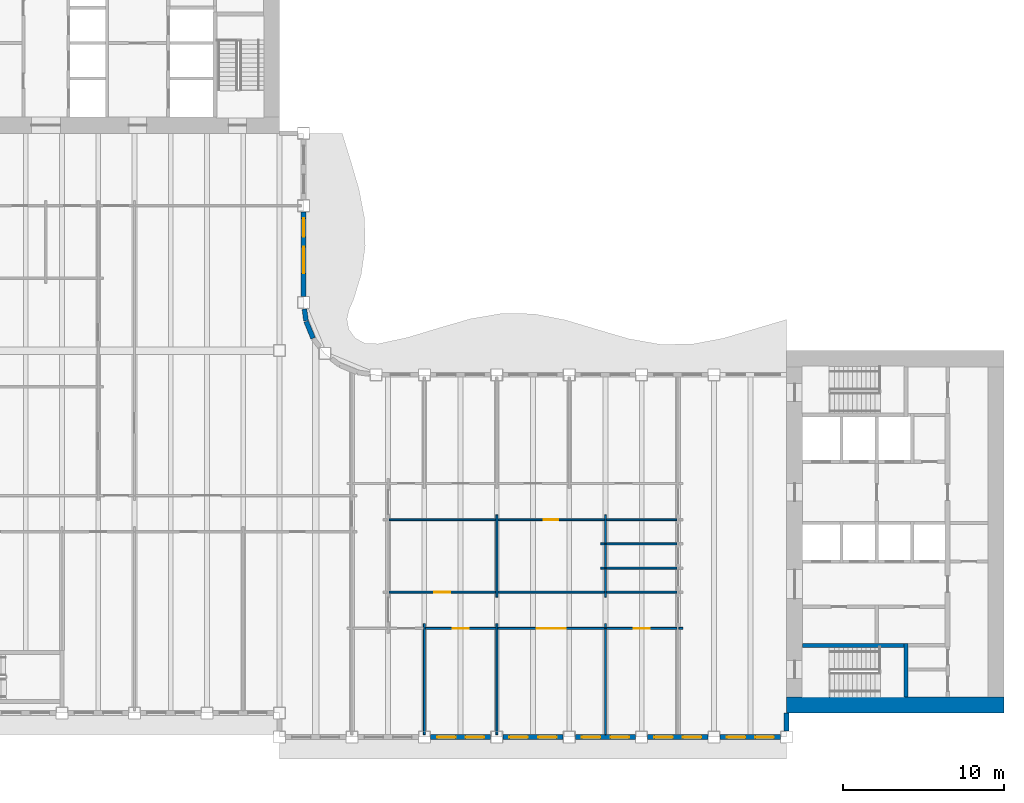
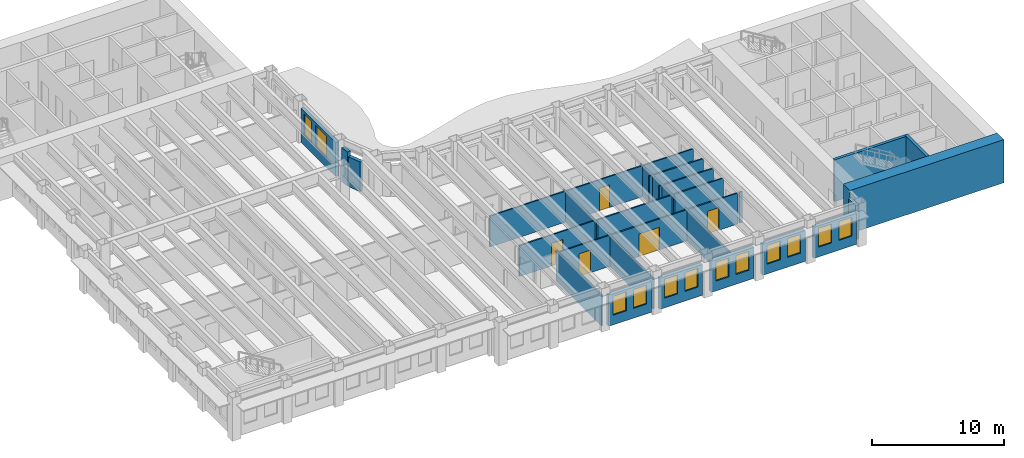
# One storey, part 5 of 16: 31 walls, 12 windows, 5 doors, 17 openings.
"""IFC4 building model written with IfcOpenShell, lengths in metres."""

from ifc_helpers import new_model, si_unit, direction, frame, frame_2d, origin, place, context, subcontext, project, spatial, rectangle, extrude, material, layer, layer_set, type_object, element, fill, save


model = new_model("IFC4")

# Units and contexts
model_context = context("Model", 3, precision=1e-05, world=origin(), true_north=direction((0.0, 1.0)))
body_context = subcontext(model_context, "Body", "Model", "MODEL_VIEW")
ifc_project = project(units=[si_unit("LENGTHUNIT", "METRE"), si_unit("AREAUNIT", "SQUARE_METRE"), si_unit("VOLUMEUNIT", "CUBIC_METRE"), si_unit("PLANEANGLEUNIT", "RADIAN"), si_unit("MASSUNIT", "GRAM", prefix="KILO")], contexts=[model_context])

# Site, building, storey
site_placement = place(None, origin())
site = spatial("IfcSite", under=ifc_project, at=site_placement, CompositionType="ELEMENT")
building_placement = place(site_placement, origin())
building = spatial("IfcBuilding", under=site, at=building_placement, Name="Sennacour Bend Tower", CompositionType="ELEMENT")
storey_placement = place(building_placement, frame((0.0, 0.0, 207.0)))
storey = spatial("IfcBuildingStorey", under=building, at=storey_placement, Name="L47", CompositionType="ELEMENT", Elevation=207.0)

# Walls
ifc_material_1 = material(Name="Concrete C60/75", Category="concrete")
ifc_layer_1 = layer(ifc_material_1, 1.0, Name="Concrete C60/75", Category="concrete")
ifc_layer_set_1 = layer_set([ifc_layer_1], Name="Concrete C60/75")
wall_type_1 = type_object("IfcWallType", Name="Core wall 1000 C60/75", PredefinedType="SHEAR", material=ifc_layer_set_1)
wall_1_placement = place(storey_placement, frame((67.5, 0.5, -0.14990234375), z_axis=(0.0, 0.0, 1.0), x_axis=(-1.0, 0.0, 0.0)))
element("IfcWall", 1, at=wall_1_placement, inside=storey, type_object=wall_type_1, Name="Core A wall L47 S", PredefinedType="SHEAR", context=body_context, shape_type="SweptSolid", body=[
    extrude(rectangle(XDim=13.5, YDim=1.0, at=frame_2d((6.75, 0.0))), origin(), (0.0, 0.0, 1.0), 4.0),
])
ifc_material_2 = material(Name="Plasterboard partition on steel studs", Category="steel")
ifc_layer_2 = layer(ifc_material_2, 0.1201171875, Name="Plasterboard partition on steel studs", Category="steel")
ifc_layer_set_2 = layer_set([ifc_layer_2], Name="Plasterboard partition on steel studs")
wall_type_2 = type_object("IfcWallType", Name="Partition 120", PredefinedType="PARTITIONING", material=ifc_layer_set_2)
for number, where, z_axis, x_axis, name in (
    (2, (31.5, -1.35009765625, 0.0), (0.0, 0.0, 1.0), (0.0, 1.0, 0.0), "P-L47-W029a"),
    (3, (36.0, -1.35009765625, 0.0), (0.0, 0.0, 1.0), (0.0, 1.0, 0.0), "P-L47-W031a"),
):
    element("IfcWall", number, at=place(storey_placement, frame(where, z_axis=z_axis, x_axis=x_axis)), inside=storey, type_object=wall_type_2, Name=name, PredefinedType="PARTITIONING", context=body_context, shape_type="SweptSolid", body=[
        extrude(rectangle(XDim=6.900146484375, YDim=0.1201171875, at=frame_2d((3.4501953125, 0.0))), origin(), (0.0, 0.0, 1.0), 2.8701171875),
    ])
wall_2_placement = place(storey_placement, frame((36.0, 7.199951171875, 0.0), z_axis=(0.0, 0.0, 1.0), x_axis=(0.0, 1.0, 0.0)))
element("IfcWall", 4, at=wall_2_placement, inside=storey, type_object=wall_type_2, Name="P-L47-W032a", PredefinedType="PARTITIONING", context=body_context, shape_type="SweptSolid", body=[
    extrude(rectangle(XDim=5.10009765625, YDim=0.1201171875, at=frame_2d((2.550048828125, 0.0))), origin(), (0.0, 0.0, 1.0), 2.8701171875),
])
wall_3_placement = place(storey_placement, frame((42.75, -1.35009765625, 0.0), z_axis=(0.0, 0.0, 1.0), x_axis=(0.0, 1.0, 0.0)))
element("IfcWall", 5, at=wall_3_placement, inside=storey, type_object=wall_type_2, Name="P-L47-W035a", PredefinedType="PARTITIONING", context=body_context, shape_type="SweptSolid", body=[
    extrude(rectangle(XDim=6.900146484375, YDim=0.1201171875, at=frame_2d((3.4501953125, 0.0))), origin(), (0.0, 0.0, 1.0), 2.8701171875),
])
wall_4_placement = place(storey_placement, frame((42.75, 7.199951171875, 0.0), z_axis=(0.0, 0.0, 1.0), x_axis=(0.0, 1.0, 0.0)))
element("IfcWall", 6, at=wall_4_placement, inside=storey, type_object=wall_type_2, Name="P-L47-W036a", PredefinedType="PARTITIONING", context=body_context, shape_type="SweptSolid", body=[
    extrude(rectangle(XDim=5.10009765625, YDim=0.1201171875, at=frame_2d((2.550048828125, 0.0))), origin(), (0.0, 0.0, 1.0), 2.8701171875),
])

# Wall, opening, door
wall_5_placement = place(storey_placement, frame((31.56005859375, 5.25, 0.0), z_axis=(0.0, 0.0, 1.0), x_axis=(1.0, 0.0, 0.0)))
wall_5 = element("IfcWall", 7, at=wall_5_placement, inside=storey, type_object=wall_type_2, Name="P-L47-W059ad", PredefinedType="PARTITIONING", context=body_context, shape_type="SweptSolid", body=[
    extrude(rectangle(XDim=4.3798828125, YDim=0.1201171875, at=frame_2d((2.18994140625, 0.0))), origin(), (0.0, 0.0, 1.0), 2.8701171875),
])
opening_1_placement = place(wall_5_placement, frame((1.68994140625, 0.0, 0.0)))
opening_1 = element("IfcOpeningElement", 8, at=opening_1_placement, cuts=wall_5, Name="Opening OD2", PredefinedType="OPENING", context=body_context, shape_type="SweptSolid", body=[
    extrude(rectangle(XDim=1.0, YDim=2.10009765625, at=frame_2d((0.5, 1.050048828125))), frame((0.0, 0.070068359375, 0.0), z_axis=(0.0, -1.0, 0.0), x_axis=(1.0, 0.0, 0.0)), (0.0, 0.0, 1.0), 0.14013671875),
])
ifc_material_3 = material(Name="Timber", Category="wood")
door_type_1 = type_object("IfcDoorType", Name="DR-OFFICE-1000", OperationType="NOTDEFINED", PredefinedType="DOOR", material=ifc_material_3)
door_1_placement = place(opening_1_placement, origin())
door_1 = element("IfcDoor", 9, at=door_1_placement, inside=storey, type_object=door_type_1, Name="Door", OperationType="SINGLE_SWING_LEFT", OverallHeight=2.10009765625, OverallWidth=1.0, PredefinedType="DOOR", context=body_context, shape_type="SweptSolid", body=[
    extrude(rectangle(XDim=1.0, YDim=2.10009765625, at=frame_2d((0.5, 1.050048828125))), frame((0.0, 0.02490234375, 0.0), z_axis=(0.0, -1.0, 0.0), x_axis=(1.0, 0.0, 0.0)), (0.0, 0.0, 1.0), 0.050048828125),
])
fill(opening_1, door_1)

wall_6_placement = place(storey_placement, frame((36.06005859375, 5.25, 0.0), z_axis=(0.0, 0.0, 1.0), x_axis=(1.0, 0.0, 0.0)))
wall_6 = element("IfcWall", 10, at=wall_6_placement, inside=storey, type_object=wall_type_2, Name="P-L47-W059ae", PredefinedType="PARTITIONING", context=body_context, shape_type="SweptSolid", body=[
    extrude(rectangle(XDim=6.6298828125, YDim=0.1201171875, at=frame_2d((3.31494140625, 0.0))), origin(), (0.0, 0.0, 1.0), 2.8701171875),
])
opening_2_placement = place(wall_6_placement, frame((2.414794921875, 0.0, 0.0)))
opening_2 = element("IfcOpeningElement", 11, at=opening_2_placement, cuts=wall_6, Name="Opening OD3", PredefinedType="OPENING", context=body_context, shape_type="SweptSolid", body=[
    extrude(rectangle(XDim=1.800048828125, YDim=2.10009765625, at=frame_2d((0.89990234375, 1.050048828125))), frame((0.0, 0.070068359375, 0.0), z_axis=(0.0, -1.0, 0.0), x_axis=(1.0, 0.0, 0.0)), (0.0, 0.0, 1.0), 0.14013671875),
])
door_type_2 = type_object("IfcDoorType", Name="DR-OFFICE-1800", OperationType="NOTDEFINED", PredefinedType="DOOR", material=ifc_material_3)
door_2_placement = place(opening_2_placement, origin())
door_2 = element("IfcDoor", 12, at=door_2_placement, inside=storey, type_object=door_type_2, Name="Door", OperationType="DOUBLE_DOOR_SINGLE_SWING", OverallHeight=2.10009765625, OverallWidth=1.800048828125, PredefinedType="DOOR", context=body_context, shape_type="SweptSolid", body=[
    extrude(rectangle(XDim=1.800048828125, YDim=2.10009765625, at=frame_2d((0.89990234375, 1.050048828125))), frame((0.0, 0.02490234375, 0.0), z_axis=(0.0, -1.0, 0.0), x_axis=(1.0, 0.0, 0.0)), (0.0, 0.0, 1.0), 0.050048828125),
])
fill(opening_2, door_2)

wall_7_placement = place(storey_placement, frame((42.81005859375, 5.25, 0.0), z_axis=(0.0, 0.0, 1.0), x_axis=(1.0, 0.0, 0.0)))
wall_7 = element("IfcWall", 13, at=wall_7_placement, inside=storey, type_object=wall_type_2, Name="P-L47-W059af", PredefinedType="PARTITIONING", context=body_context, shape_type="SweptSolid", body=[
    extrude(rectangle(XDim=4.3798828125, YDim=0.1201171875, at=frame_2d((2.18994140625, 0.0))), origin(), (0.0, 0.0, 1.0), 2.8701171875),
])
opening_3_placement = place(wall_7_placement, frame((1.68994140625, 0.0, 0.0)))
opening_3 = element("IfcOpeningElement", 14, at=opening_3_placement, cuts=wall_7, Name="Opening OD2", PredefinedType="OPENING", context=body_context, shape_type="SweptSolid", body=[
    extrude(rectangle(XDim=1.0, YDim=2.10009765625, at=frame_2d((0.5, 1.050048828125))), frame((0.0, 0.070068359375, 0.0), z_axis=(0.0, -1.0, 0.0), x_axis=(1.0, 0.0, 0.0)), (0.0, 0.0, 1.0), 0.14013671875),
])
door_3_placement = place(opening_3_placement, origin())
door_3 = element("IfcDoor", 15, at=door_3_placement, inside=storey, type_object=door_type_1, Name="Door", OperationType="SINGLE_SWING_LEFT", OverallHeight=2.10009765625, OverallWidth=1.0, PredefinedType="DOOR", context=body_context, shape_type="SweptSolid", body=[
    extrude(rectangle(XDim=1.0, YDim=2.10009765625, at=frame_2d((0.5, 1.050048828125))), frame((0.0, 0.02490234375, 0.0), z_axis=(0.0, -1.0, 0.0), x_axis=(1.0, 0.0, 0.0)), (0.0, 0.0, 1.0), 0.050048828125),
])
fill(opening_3, door_3)

# Wall
wall_8_placement = place(storey_placement, frame((47.31005859375, 5.25, 0.0), z_axis=(0.0, 0.0, 1.0), x_axis=(1.0, 0.0, 0.0)))
element("IfcWall", 16, at=wall_8_placement, inside=storey, type_object=wall_type_2, Name="P-L47-W059ag", PredefinedType="PARTITIONING", context=body_context, shape_type="SweptSolid", body=[
    extrude(rectangle(XDim=0.239990234375, YDim=0.1201171875, at=frame_2d((0.1201171875, 0.0))), origin(), (0.0, 0.0, 1.0), 2.8701171875),
])

# Wall, opening, door
wall_9_placement = place(storey_placement, frame((29.31005859375, 7.5, 0.0), z_axis=(0.0, 0.0, 1.0), x_axis=(1.0, 0.0, 0.0)))
wall_9 = element("IfcWall", 17, at=wall_9_placement, inside=storey, type_object=wall_type_2, Name="P-L47-W061ab", PredefinedType="PARTITIONING", context=body_context, shape_type="SweptSolid", body=[
    extrude(rectangle(XDim=6.6298828125, YDim=0.1201171875, at=frame_2d((3.31494140625, 0.0))), origin(), (0.0, 0.0, 1.0), 2.8701171875),
])
opening_4_placement = place(wall_9_placement, frame((2.81494140625, 0.0, 0.0)))
opening_4 = element("IfcOpeningElement", 18, at=opening_4_placement, cuts=wall_9, Name="Opening OD2", PredefinedType="OPENING", context=body_context, shape_type="SweptSolid", body=[
    extrude(rectangle(XDim=1.0, YDim=2.10009765625, at=frame_2d((0.5, 1.050048828125))), frame((0.0, 0.070068359375, 0.0), z_axis=(0.0, -1.0, 0.0), x_axis=(1.0, 0.0, 0.0)), (0.0, 0.0, 1.0), 0.14013671875),
])
door_4_placement = place(opening_4_placement, origin())
door_4 = element("IfcDoor", 19, at=door_4_placement, inside=storey, type_object=door_type_1, Name="Door", OperationType="SINGLE_SWING_LEFT", OverallHeight=2.10009765625, OverallWidth=1.0, PredefinedType="DOOR", context=body_context, shape_type="SweptSolid", body=[
    extrude(rectangle(XDim=1.0, YDim=2.10009765625, at=frame_2d((0.5, 1.050048828125))), frame((0.0, 0.02490234375, 0.0), z_axis=(0.0, -1.0, 0.0), x_axis=(1.0, 0.0, 0.0)), (0.0, 0.0, 1.0), 0.050048828125),
])
fill(opening_4, door_4)

# Walls
wall_10_placement = place(storey_placement, frame((36.06005859375, 7.5, 0.0), z_axis=(0.0, 0.0, 1.0), x_axis=(1.0, 0.0, 0.0)))
element("IfcWall", 20, at=wall_10_placement, inside=storey, type_object=wall_type_2, Name="P-L47-W061ac", PredefinedType="PARTITIONING", context=body_context, shape_type="SweptSolid", body=[
    extrude(rectangle(XDim=6.6298828125, YDim=0.1201171875, at=frame_2d((3.31494140625, 0.0))), origin(), (0.0, 0.0, 1.0), 2.8701171875),
])
wall_11_placement = place(storey_placement, frame((42.81005859375, 7.5, 0.0), z_axis=(0.0, 0.0, 1.0), x_axis=(1.0, 0.0, 0.0)))
element("IfcWall", 21, at=wall_11_placement, inside=storey, type_object=wall_type_2, Name="P-L47-W061ad", PredefinedType="PARTITIONING", context=body_context, shape_type="SweptSolid", body=[
    extrude(rectangle(XDim=4.3798828125, YDim=0.1201171875, at=frame_2d((2.18994140625, 0.0))), origin(), (0.0, 0.0, 1.0), 2.8701171875),
])
wall_12_placement = place(storey_placement, frame((42.449951171875, 9.0, 0.0), z_axis=(0.0, 0.0, 1.0), x_axis=(1.0, 0.0, 0.0)))
element("IfcWall", 22, at=wall_12_placement, inside=storey, type_object=wall_type_2, Name="P-L47-W062aa", PredefinedType="PARTITIONING", context=body_context, shape_type="SweptSolid", body=[
    extrude(rectangle(XDim=0.239990234375, YDim=0.1201171875, at=frame_2d((0.1201171875, 0.0))), origin(), (0.0, 0.0, 1.0), 2.8701171875),
])
wall_13_placement = place(storey_placement, frame((42.81005859375, 9.0, 0.0), z_axis=(0.0, 0.0, 1.0), x_axis=(1.0, 0.0, 0.0)))
element("IfcWall", 23, at=wall_13_placement, inside=storey, type_object=wall_type_2, Name="P-L47-W062ab", PredefinedType="PARTITIONING", context=body_context, shape_type="SweptSolid", body=[
    extrude(rectangle(XDim=4.3798828125, YDim=0.1201171875, at=frame_2d((2.18994140625, 0.0))), origin(), (0.0, 0.0, 1.0), 2.8701171875),
])
wall_14_placement = place(storey_placement, frame((42.449951171875, 10.5, 0.0), z_axis=(0.0, 0.0, 1.0), x_axis=(1.0, 0.0, 0.0)))
element("IfcWall", 24, at=wall_14_placement, inside=storey, type_object=wall_type_2, Name="P-L47-W065aa", PredefinedType="PARTITIONING", context=body_context, shape_type="SweptSolid", body=[
    extrude(rectangle(XDim=0.239990234375, YDim=0.1201171875, at=frame_2d((0.1201171875, 0.0))), origin(), (0.0, 0.0, 1.0), 2.8701171875),
])
wall_15_placement = place(storey_placement, frame((42.81005859375, 10.5, 0.0), z_axis=(0.0, 0.0, 1.0), x_axis=(1.0, 0.0, 0.0)))
element("IfcWall", 25, at=wall_15_placement, inside=storey, type_object=wall_type_2, Name="P-L47-W065ab", PredefinedType="PARTITIONING", context=body_context, shape_type="SweptSolid", body=[
    extrude(rectangle(XDim=4.3798828125, YDim=0.1201171875, at=frame_2d((2.18994140625, 0.0))), origin(), (0.0, 0.0, 1.0), 2.8701171875),
])
wall_16_placement = place(storey_placement, frame((29.31005859375, 12.0, 0.0), z_axis=(0.0, 0.0, 1.0), x_axis=(1.0, 0.0, 0.0)))
element("IfcWall", 26, at=wall_16_placement, inside=storey, type_object=wall_type_2, Name="P-L47-W069ab", PredefinedType="PARTITIONING", context=body_context, shape_type="SweptSolid", body=[
    extrude(rectangle(XDim=6.6298828125, YDim=0.1201171875, at=frame_2d((3.31494140625, 0.0))), origin(), (0.0, 0.0, 1.0), 2.8701171875),
])
wall_17_placement = place(storey_placement, frame((42.81005859375, 12.0, 0.0), z_axis=(0.0, 0.0, 1.0), x_axis=(1.0, 0.0, 0.0)))
element("IfcWall", 27, at=wall_17_placement, inside=storey, type_object=wall_type_2, Name="P-L47-W069ad", PredefinedType="PARTITIONING", context=body_context, shape_type="SweptSolid", body=[
    extrude(rectangle(XDim=4.3798828125, YDim=0.1201171875, at=frame_2d((2.18994140625, 0.0))), origin(), (0.0, 0.0, 1.0), 2.8701171875),
])

# Wall, opening, door
ifc_layer_3 = layer(ifc_material_2, 0.1201171875, Name="Plasterboard partition on steel studs", Category="steel")
ifc_layer_set_3 = layer_set([ifc_layer_3], Name="Plasterboard partition on steel studs")
wall_type_3 = type_object("IfcWallType", Name="Partition 120 EI 60", PredefinedType="PARTITIONING", material=ifc_layer_set_3)
wall_18_placement = place(storey_placement, frame((36.06005859375, 12.0, 0.0), z_axis=(0.0, 0.0, 1.0), x_axis=(1.0, 0.0, 0.0)))
wall_18 = element("IfcWall", 28, at=wall_18_placement, inside=storey, type_object=wall_type_3, Name="P-L47-W069ac", PredefinedType="PARTITIONING", context=body_context, shape_type="SweptSolid", body=[
    extrude(rectangle(XDim=6.6298828125, YDim=0.1201171875, at=frame_2d((3.31494140625, 0.0))), origin(), (0.0, 0.0, 1.0), 2.8701171875),
])
opening_5_placement = place(wall_18_placement, frame((2.864990234375, 0.0, 0.0)))
opening_5 = element("IfcOpeningElement", 29, at=opening_5_placement, cuts=wall_18, Name="Opening SV", PredefinedType="OPENING", context=body_context, shape_type="SweptSolid", body=[
    extrude(rectangle(XDim=0.89990234375, YDim=2.10009765625, at=frame_2d((0.449951171875, 1.050048828125))), frame((0.0, 0.070068359375, 0.0), z_axis=(0.0, -1.0, 0.0), x_axis=(1.0, 0.0, 0.0)), (0.0, 0.0, 1.0), 0.14013671875),
])
ifc_material_4 = material(Name="Painted steel", Category="steel")
door_type_3 = type_object("IfcDoorType", Name="DR-SERVICE-900", OperationType="NOTDEFINED", PredefinedType="DOOR", material=ifc_material_4)
door_5_placement = place(opening_5_placement, origin())
door_5 = element("IfcDoor", 30, at=door_5_placement, inside=storey, type_object=door_type_3, Name="Door", OperationType="SINGLE_SWING_LEFT", OverallHeight=2.10009765625, OverallWidth=0.89990234375, PredefinedType="DOOR", context=body_context, shape_type="SweptSolid", body=[
    extrude(rectangle(XDim=0.89990234375, YDim=2.10009765625, at=frame_2d((0.449951171875, 1.050048828125))), frame((0.0, 0.02490234375, 0.0), z_axis=(0.0, -1.0, 0.0), x_axis=(1.0, 0.0, 0.0)), (0.0, 0.0, 1.0), 0.050048828125),
])
fill(opening_5, door_5)

# Wall, openings, windows
ifc_material_5 = material(Name="Warm limestone cladding", Category="masonry")
ifc_layer_4 = layer(ifc_material_5, 0.050048828125, Name="Warm limestone cladding", Category="masonry")
ifc_material_6 = material(Name="Precast concrete C40/50", Category="concrete")
ifc_layer_5 = layer(ifc_material_6, 0.25, Name="Precast concrete C40/50", Category="concrete")
ifc_layer_set_4 = layer_set([ifc_layer_4, ifc_layer_5], Name="Precast concrete C40/50 with limestone cladding")
wall_type_4 = type_object("IfcWallType", Name="STONE-CLAD PRECAST SPANDREL 300", PredefinedType="STANDARD", material=ifc_layer_set_4)
wall_19_placement = place(storey_placement, frame((31.875, -1.5, 0.0), z_axis=(0.0, 0.0, 1.0), x_axis=(1.0, 0.0, 0.0)))
wall_19 = element("IfcWall", 31, at=wall_19_placement, inside=storey, type_object=wall_type_4, Name="Stone spandrel and pier wall L47 00.02", PredefinedType="STANDARD", context=body_context, shape_type="SweptSolid", body=[
    extrude(rectangle(XDim=3.75, YDim=0.300048828125, at=frame_2d((1.875, 0.0))), origin(), (0.0, 0.0, 1.0), 2.8701171875),
])
opening_6_placement = place(wall_19_placement, frame((0.41259765625, 0.0, 0.89990234375)))
opening_6 = element("IfcOpeningElement", 32, at=opening_6_placement, cuts=wall_19, Name="Opening W23", PredefinedType="OPENING", context=body_context, shape_type="SweptSolid", body=[
    extrude(rectangle(XDim=1.14990234375, YDim=1.75, at=frame_2d((0.574951171875, 0.875))), frame((0.0, 0.16015625, 0.0), z_axis=(0.0, -1.0, 0.0), x_axis=(1.0, 0.0, 0.0)), (0.0, 0.0, 1.0), 0.320068359375),
])
opening_7_placement = place(wall_19_placement, frame((2.1875, 0.0, 0.89990234375)))
opening_7 = element("IfcOpeningElement", 33, at=opening_7_placement, cuts=wall_19, Name="Opening W23", PredefinedType="OPENING", context=body_context, shape_type="SweptSolid", body=[
    extrude(rectangle(XDim=1.14990234375, YDim=1.75, at=frame_2d((0.574951171875, 0.875))), frame((0.0, 0.16015625, 0.0), z_axis=(0.0, -1.0, 0.0), x_axis=(1.0, 0.0, 0.0)), (0.0, 0.0, 1.0), 0.320068359375),
])
ifc_material_7 = material(Name="Clear low-emissivity glass", Category="glass")
window_type_1 = type_object("IfcWindowType", Name="WIN-RIBBON-1150x1750", PartitioningType="SINGLE_PANEL", PredefinedType="WINDOW", material=ifc_material_7)
window_1_placement = place(opening_6_placement, origin())
window_1 = element("IfcWindow", 34, at=window_1_placement, inside=storey, type_object=window_type_1, Name="Ribbon window L47 00.02.0", OverallHeight=1.75, OverallWidth=1.14990234375, PartitioningType="SINGLE_PANEL", PredefinedType="WINDOW", context=body_context, shape_type="SweptSolid", body=[
    extrude(rectangle(XDim=1.14990234375, YDim=1.75, at=frame_2d((0.574951171875, 0.875))), frame((0.0, 0.030029296875, 0.0), z_axis=(0.0, -1.0, 0.0), x_axis=(1.0, 0.0, 0.0)), (0.0, 0.0, 1.0), 0.06005859375),
])
fill(opening_6, window_1)
window_2_placement = place(opening_7_placement, origin())
window_2 = element("IfcWindow", 35, at=window_2_placement, inside=storey, type_object=window_type_1, Name="Ribbon window L47 00.02.1", OverallHeight=1.75, OverallWidth=1.14990234375, PartitioningType="SINGLE_PANEL", PredefinedType="WINDOW", context=body_context, shape_type="SweptSolid", body=[
    extrude(rectangle(XDim=1.14990234375, YDim=1.75, at=frame_2d((0.574951171875, 0.875))), frame((0.0, 0.030029296875, 0.0), z_axis=(0.0, -1.0, 0.0), x_axis=(1.0, 0.0, 0.0)), (0.0, 0.0, 1.0), 0.06005859375),
])
fill(opening_7, window_2)

wall_20_placement = place(storey_placement, frame((36.375, -1.5, 0.0), z_axis=(0.0, 0.0, 1.0), x_axis=(1.0, 0.0, 0.0)))
wall_20 = element("IfcWall", 36, at=wall_20_placement, inside=storey, type_object=wall_type_4, Name="Stone spandrel and pier wall L47 00.03", PredefinedType="STANDARD", context=body_context, shape_type="SweptSolid", body=[
    extrude(rectangle(XDim=3.75, YDim=0.300048828125, at=frame_2d((1.875, 0.0))), origin(), (0.0, 0.0, 1.0), 2.8701171875),
])
opening_8_placement = place(wall_20_placement, frame((0.41259765625, 0.0, 0.89990234375)))
opening_8 = element("IfcOpeningElement", 37, at=opening_8_placement, cuts=wall_20, Name="Opening W23", PredefinedType="OPENING", context=body_context, shape_type="SweptSolid", body=[
    extrude(rectangle(XDim=1.14990234375, YDim=1.75, at=frame_2d((0.574951171875, 0.875))), frame((0.0, 0.16015625, 0.0), z_axis=(0.0, -1.0, 0.0), x_axis=(1.0, 0.0, 0.0)), (0.0, 0.0, 1.0), 0.320068359375),
])
opening_9_placement = place(wall_20_placement, frame((2.1875, 0.0, 0.89990234375)))
opening_9 = element("IfcOpeningElement", 38, at=opening_9_placement, cuts=wall_20, Name="Opening W23", PredefinedType="OPENING", context=body_context, shape_type="SweptSolid", body=[
    extrude(rectangle(XDim=1.14990234375, YDim=1.75, at=frame_2d((0.574951171875, 0.875))), frame((0.0, 0.16015625, 0.0), z_axis=(0.0, -1.0, 0.0), x_axis=(1.0, 0.0, 0.0)), (0.0, 0.0, 1.0), 0.320068359375),
])
window_3_placement = place(opening_8_placement, origin())
window_3 = element("IfcWindow", 39, at=window_3_placement, inside=storey, type_object=window_type_1, Name="Ribbon window L47 00.03.0", OverallHeight=1.75, OverallWidth=1.14990234375, PartitioningType="SINGLE_PANEL", PredefinedType="WINDOW", context=body_context, shape_type="SweptSolid", body=[
    extrude(rectangle(XDim=1.14990234375, YDim=1.75, at=frame_2d((0.574951171875, 0.875))), frame((0.0, 0.030029296875, 0.0), z_axis=(0.0, -1.0, 0.0), x_axis=(1.0, 0.0, 0.0)), (0.0, 0.0, 1.0), 0.06005859375),
])
fill(opening_8, window_3)
window_4_placement = place(opening_9_placement, origin())
window_4 = element("IfcWindow", 40, at=window_4_placement, inside=storey, type_object=window_type_1, Name="Ribbon window L47 00.03.1", OverallHeight=1.75, OverallWidth=1.14990234375, PartitioningType="SINGLE_PANEL", PredefinedType="WINDOW", context=body_context, shape_type="SweptSolid", body=[
    extrude(rectangle(XDim=1.14990234375, YDim=1.75, at=frame_2d((0.574951171875, 0.875))), frame((0.0, 0.030029296875, 0.0), z_axis=(0.0, -1.0, 0.0), x_axis=(1.0, 0.0, 0.0)), (0.0, 0.0, 1.0), 0.06005859375),
])
fill(opening_9, window_4)

wall_21_placement = place(storey_placement, frame((40.875, -1.5, 0.0), z_axis=(0.0, 0.0, 1.0), x_axis=(1.0, 0.0, 0.0)))
wall_21 = element("IfcWall", 41, at=wall_21_placement, inside=storey, type_object=wall_type_4, Name="Stone spandrel and pier wall L47 00.04", PredefinedType="STANDARD", context=body_context, shape_type="SweptSolid", body=[
    extrude(rectangle(XDim=3.75, YDim=0.300048828125, at=frame_2d((1.875, 0.0))), origin(), (0.0, 0.0, 1.0), 2.8701171875),
])
opening_10_placement = place(wall_21_placement, frame((0.41259765625, 0.0, 0.89990234375)))
opening_10 = element("IfcOpeningElement", 42, at=opening_10_placement, cuts=wall_21, Name="Opening W23", PredefinedType="OPENING", context=body_context, shape_type="SweptSolid", body=[
    extrude(rectangle(XDim=1.14990234375, YDim=1.75, at=frame_2d((0.574951171875, 0.875))), frame((0.0, 0.16015625, 0.0), z_axis=(0.0, -1.0, 0.0), x_axis=(1.0, 0.0, 0.0)), (0.0, 0.0, 1.0), 0.320068359375),
])
opening_11_placement = place(wall_21_placement, frame((2.1875, 0.0, 0.89990234375)))
opening_11 = element("IfcOpeningElement", 43, at=opening_11_placement, cuts=wall_21, Name="Opening W23", PredefinedType="OPENING", context=body_context, shape_type="SweptSolid", body=[
    extrude(rectangle(XDim=1.14990234375, YDim=1.75, at=frame_2d((0.574951171875, 0.875))), frame((0.0, 0.16015625, 0.0), z_axis=(0.0, -1.0, 0.0), x_axis=(1.0, 0.0, 0.0)), (0.0, 0.0, 1.0), 0.320068359375),
])
window_5_placement = place(opening_10_placement, origin())
window_5 = element("IfcWindow", 44, at=window_5_placement, inside=storey, type_object=window_type_1, Name="Ribbon window L47 00.04.0", OverallHeight=1.75, OverallWidth=1.14990234375, PartitioningType="SINGLE_PANEL", PredefinedType="WINDOW", context=body_context, shape_type="SweptSolid", body=[
    extrude(rectangle(XDim=1.14990234375, YDim=1.75, at=frame_2d((0.574951171875, 0.875))), frame((0.0, 0.030029296875, 0.0), z_axis=(0.0, -1.0, 0.0), x_axis=(1.0, 0.0, 0.0)), (0.0, 0.0, 1.0), 0.06005859375),
])
fill(opening_10, window_5)
window_6_placement = place(opening_11_placement, origin())
window_6 = element("IfcWindow", 45, at=window_6_placement, inside=storey, type_object=window_type_1, Name="Ribbon window L47 00.04.1", OverallHeight=1.75, OverallWidth=1.14990234375, PartitioningType="SINGLE_PANEL", PredefinedType="WINDOW", context=body_context, shape_type="SweptSolid", body=[
    extrude(rectangle(XDim=1.14990234375, YDim=1.75, at=frame_2d((0.574951171875, 0.875))), frame((0.0, 0.030029296875, 0.0), z_axis=(0.0, -1.0, 0.0), x_axis=(1.0, 0.0, 0.0)), (0.0, 0.0, 1.0), 0.06005859375),
])
fill(opening_11, window_6)

wall_22_placement = place(storey_placement, frame((45.375, -1.5, 0.0), z_axis=(0.0, 0.0, 1.0), x_axis=(1.0, 0.0, 0.0)))
wall_22 = element("IfcWall", 46, at=wall_22_placement, inside=storey, type_object=wall_type_4, Name="Stone spandrel and pier wall L47 00.05", PredefinedType="STANDARD", context=body_context, shape_type="SweptSolid", body=[
    extrude(rectangle(XDim=3.75, YDim=0.300048828125, at=frame_2d((1.875, 0.0))), origin(), (0.0, 0.0, 1.0), 2.8701171875),
])
opening_12_placement = place(wall_22_placement, frame((0.41259765625, 0.0, 0.89990234375)))
opening_12 = element("IfcOpeningElement", 47, at=opening_12_placement, cuts=wall_22, Name="Opening W23", PredefinedType="OPENING", context=body_context, shape_type="SweptSolid", body=[
    extrude(rectangle(XDim=1.14990234375, YDim=1.75, at=frame_2d((0.574951171875, 0.875))), frame((0.0, 0.16015625, 0.0), z_axis=(0.0, -1.0, 0.0), x_axis=(1.0, 0.0, 0.0)), (0.0, 0.0, 1.0), 0.320068359375),
])
opening_13_placement = place(wall_22_placement, frame((2.1875, 0.0, 0.89990234375)))
opening_13 = element("IfcOpeningElement", 48, at=opening_13_placement, cuts=wall_22, Name="Opening W23", PredefinedType="OPENING", context=body_context, shape_type="SweptSolid", body=[
    extrude(rectangle(XDim=1.14990234375, YDim=1.75, at=frame_2d((0.574951171875, 0.875))), frame((0.0, 0.16015625, 0.0), z_axis=(0.0, -1.0, 0.0), x_axis=(1.0, 0.0, 0.0)), (0.0, 0.0, 1.0), 0.320068359375),
])
window_7_placement = place(opening_12_placement, origin())
window_7 = element("IfcWindow", 49, at=window_7_placement, inside=storey, type_object=window_type_1, Name="Ribbon window L47 00.05.0", OverallHeight=1.75, OverallWidth=1.14990234375, PartitioningType="SINGLE_PANEL", PredefinedType="WINDOW", context=body_context, shape_type="SweptSolid", body=[
    extrude(rectangle(XDim=1.14990234375, YDim=1.75, at=frame_2d((0.574951171875, 0.875))), frame((0.0, 0.030029296875, 0.0), z_axis=(0.0, -1.0, 0.0), x_axis=(1.0, 0.0, 0.0)), (0.0, 0.0, 1.0), 0.06005859375),
])
fill(opening_12, window_7)
window_8_placement = place(opening_13_placement, origin())
window_8 = element("IfcWindow", 50, at=window_8_placement, inside=storey, type_object=window_type_1, Name="Ribbon window L47 00.05.1", OverallHeight=1.75, OverallWidth=1.14990234375, PartitioningType="SINGLE_PANEL", PredefinedType="WINDOW", context=body_context, shape_type="SweptSolid", body=[
    extrude(rectangle(XDim=1.14990234375, YDim=1.75, at=frame_2d((0.574951171875, 0.875))), frame((0.0, 0.030029296875, 0.0), z_axis=(0.0, -1.0, 0.0), x_axis=(1.0, 0.0, 0.0)), (0.0, 0.0, 1.0), 0.06005859375),
])
fill(opening_13, window_8)

wall_23_placement = place(storey_placement, frame((49.875, -1.5, 0.0), z_axis=(0.0, 0.0, 1.0), x_axis=(1.0, 0.0, 0.0)))
wall_23 = element("IfcWall", 51, at=wall_23_placement, inside=storey, type_object=wall_type_4, Name="Stone spandrel and pier wall L47 00.06", PredefinedType="STANDARD", context=body_context, shape_type="SweptSolid", body=[
    extrude(rectangle(XDim=3.75, YDim=0.300048828125, at=frame_2d((1.875, 0.0))), origin(), (0.0, 0.0, 1.0), 2.8701171875),
])
opening_14_placement = place(wall_23_placement, frame((0.41259765625, 0.0, 0.89990234375)))
opening_14 = element("IfcOpeningElement", 52, at=opening_14_placement, cuts=wall_23, Name="Opening W23", PredefinedType="OPENING", context=body_context, shape_type="SweptSolid", body=[
    extrude(rectangle(XDim=1.14990234375, YDim=1.75, at=frame_2d((0.574951171875, 0.875))), frame((0.0, 0.16015625, 0.0), z_axis=(0.0, -1.0, 0.0), x_axis=(1.0, 0.0, 0.0)), (0.0, 0.0, 1.0), 0.320068359375),
])
opening_15_placement = place(wall_23_placement, frame((2.1875, 0.0, 0.89990234375)))
opening_15 = element("IfcOpeningElement", 53, at=opening_15_placement, cuts=wall_23, Name="Opening W23", PredefinedType="OPENING", context=body_context, shape_type="SweptSolid", body=[
    extrude(rectangle(XDim=1.14990234375, YDim=1.75, at=frame_2d((0.574951171875, 0.875))), frame((0.0, 0.16015625, 0.0), z_axis=(0.0, -1.0, 0.0), x_axis=(1.0, 0.0, 0.0)), (0.0, 0.0, 1.0), 0.320068359375),
])
window_9_placement = place(opening_14_placement, origin())
window_9 = element("IfcWindow", 54, at=window_9_placement, inside=storey, type_object=window_type_1, Name="Ribbon window L47 00.06.0", OverallHeight=1.75, OverallWidth=1.14990234375, PartitioningType="SINGLE_PANEL", PredefinedType="WINDOW", context=body_context, shape_type="SweptSolid", body=[
    extrude(rectangle(XDim=1.14990234375, YDim=1.75, at=frame_2d((0.574951171875, 0.875))), frame((0.0, 0.030029296875, 0.0), z_axis=(0.0, -1.0, 0.0), x_axis=(1.0, 0.0, 0.0)), (0.0, 0.0, 1.0), 0.06005859375),
])
fill(opening_14, window_9)
window_10_placement = place(opening_15_placement, origin())
window_10 = element("IfcWindow", 55, at=window_10_placement, inside=storey, type_object=window_type_1, Name="Ribbon window L47 00.06.1", OverallHeight=1.75, OverallWidth=1.14990234375, PartitioningType="SINGLE_PANEL", PredefinedType="WINDOW", context=body_context, shape_type="SweptSolid", body=[
    extrude(rectangle(XDim=1.14990234375, YDim=1.75, at=frame_2d((0.574951171875, 0.875))), frame((0.0, 0.030029296875, 0.0), z_axis=(0.0, -1.0, 0.0), x_axis=(1.0, 0.0, 0.0)), (0.0, 0.0, 1.0), 0.06005859375),
])
fill(opening_15, window_10)

# Walls
wall_24_placement = place(storey_placement, frame((54.0, -1.125, 0.0), z_axis=(0.0, 0.0, 1.0), x_axis=(0.0, 1.0, 0.0)))
element("IfcWall", 56, at=wall_24_placement, inside=storey, type_object=wall_type_4, Name="Stone spandrel and pier wall L47 01.00", PredefinedType="STANDARD", context=body_context, shape_type="SweptSolid", body=[
    extrude(rectangle(XDim=1.125, YDim=0.300048828125, at=frame_2d((0.5625, 0.0))), origin(), (0.0, 0.0, 1.0), 3.156982421875),
])
wall_25_placement = place(storey_placement, frame((24.59521484375, 23.268310546875, 0.0), z_axis=(0.0, 0.0, 1.0), x_axis=(-0.382598720491, 0.923914616768, 0.0)))
element("IfcWall", 57, at=wall_25_placement, inside=storey, type_object=wall_type_4, Name="Stone spandrel and pier wall L47 11.00", PredefinedType="STANDARD", context=body_context, shape_type="SweptSolid", body=[
    extrude(rectangle(XDim=1.13525390625, YDim=0.300048828125, at=frame_2d((0.567626953125, 0.0))), origin(), (0.0, 0.0, 1.0), 2.760009765625),
])
wall_26_placement = place(storey_placement, frame((24.15087890625, 24.35498046875, 0.0), z_axis=(0.0, 0.0, 1.0), x_axis=(-0.130660917588, 0.99142711513, 0.0)))
element("IfcWall", 58, at=wall_26_placement, inside=storey, type_object=wall_type_4, Name="Stone spandrel and pier wall L47 12.00", PredefinedType="STANDARD", context=body_context, shape_type="SweptSolid", body=[
    extrude(rectangle(XDim=0.734375, YDim=0.300048828125, at=frame_2d((0.3671875, 0.0))), origin(), (0.0, 0.0, 1.0), 3.156982421875),
])

# Wall, openings, windows
wall_27_placement = place(storey_placement, frame((24.0, 25.875, 0.0), z_axis=(0.0, 0.0, 1.0), x_axis=(0.0, 1.0, 0.0)))
wall_27 = element("IfcWall", 59, at=wall_27_placement, inside=storey, type_object=wall_type_4, Name="Stone spandrel and pier wall L47 13.00", PredefinedType="STANDARD", context=body_context, shape_type="SweptSolid", body=[
    extrude(rectangle(XDim=5.25, YDim=0.300048828125, at=frame_2d((2.625, 0.0))), origin(), (0.0, 0.0, 1.0), 3.156982421875),
])
opening_16_placement = place(wall_27_placement, frame((1.425048828125, 0.0, 0.89990234375)))
opening_16 = element("IfcOpeningElement", 60, at=opening_16_placement, cuts=wall_27, Name="Opening W10", PredefinedType="OPENING", context=body_context, shape_type="SweptSolid", body=[
    extrude(rectangle(XDim=1.64990234375, YDim=2.0, at=frame_2d((0.824951171875, 1.0))), frame((0.0, 0.16015625, 0.0), z_axis=(0.0, -1.0, 0.0), x_axis=(1.0, 0.0, 0.0)), (0.0, 0.0, 1.0), 0.320068359375),
])
opening_17_placement = place(wall_27_placement, frame((3.6875, 0.0, 0.89990234375)))
opening_17 = element("IfcOpeningElement", 61, at=opening_17_placement, cuts=wall_27, Name="Opening W24", PredefinedType="OPENING", context=body_context, shape_type="SweptSolid", body=[
    extrude(rectangle(XDim=1.14990234375, YDim=2.0, at=frame_2d((0.574951171875, 1.0))), frame((0.0, 0.16015625, 0.0), z_axis=(0.0, -1.0, 0.0), x_axis=(1.0, 0.0, 0.0)), (0.0, 0.0, 1.0), 0.320068359375),
])
window_type_2 = type_object("IfcWindowType", Name="WIN-RIBBON-1150x2000", PartitioningType="SINGLE_PANEL", PredefinedType="WINDOW", material=ifc_material_7)
window_11_placement = place(opening_17_placement, origin())
window_11 = element("IfcWindow", 62, at=window_11_placement, inside=storey, type_object=window_type_2, Name="Ribbon window L47 13.00.1", OverallHeight=2.0, OverallWidth=1.14990234375, PartitioningType="SINGLE_PANEL", PredefinedType="WINDOW", context=body_context, shape_type="SweptSolid", body=[
    extrude(rectangle(XDim=1.14990234375, YDim=2.0, at=frame_2d((0.574951171875, 1.0))), frame((0.0, 0.030029296875, 0.0), z_axis=(0.0, -1.0, 0.0), x_axis=(1.0, 0.0, 0.0)), (0.0, 0.0, 1.0), 0.06005859375),
])
fill(opening_17, window_11)
window_type_3 = type_object("IfcWindowType", Name="WIN-RIBBON-1650x2000", PartitioningType="SINGLE_PANEL", PredefinedType="WINDOW", material=ifc_material_7)
window_12_placement = place(opening_16_placement, origin())
window_12 = element("IfcWindow", 63, at=window_12_placement, inside=storey, type_object=window_type_3, Name="Ribbon window L47 13.00.0", OverallHeight=2.0, OverallWidth=1.64990234375, PartitioningType="SINGLE_PANEL", PredefinedType="WINDOW", context=body_context, shape_type="SweptSolid", body=[
    extrude(rectangle(XDim=1.64990234375, YDim=2.0, at=frame_2d((0.824951171875, 1.0))), frame((0.0, 0.030029296875, 0.0), z_axis=(0.0, -1.0, 0.0), x_axis=(1.0, 0.0, 0.0)), (0.0, 0.0, 1.0), 0.06005859375),
])
fill(opening_16, window_12)

# Walls
ifc_layer_6 = layer(ifc_material_1, 0.25, Name="Concrete C60/75", Category="concrete")
ifc_layer_set_5 = layer_set([ifc_layer_6], Name="Concrete C60/75")
wall_type_5 = type_object("IfcWallType", Name="Stair wall 250", PredefinedType="SHEAR", material=ifc_layer_set_5)
wall_28_placement = place(storey_placement, frame((61.39990234375, 1.0, 0.0), z_axis=(0.0, 0.0, 1.0), x_axis=(0.0, 1.0, 0.0)))
element("IfcWall", 64, at=wall_28_placement, inside=storey, type_object=wall_type_5, Name="P-L47-W045", PredefinedType="SHEAR", context=body_context, shape_type="SweptSolid", body=[
    extrude(rectangle(XDim=3.324951171875, YDim=0.25, at=frame_2d((1.66259765625, 0.0))), origin(), (0.0, 0.0, 1.0), 3.85009765625),
])
wall_29_placement = place(storey_placement, frame((55.0, 4.199951171875, 0.0), z_axis=(0.0, 0.0, 1.0), x_axis=(1.0, 0.0, 0.0)))
element("IfcWall", 65, at=wall_29_placement, inside=storey, type_object=wall_type_5, Name="P-L47-W057", PredefinedType="SHEAR", context=body_context, shape_type="SweptSolid", body=[
    extrude(rectangle(XDim=6.27490234375, YDim=0.25, at=frame_2d((3.137451171875, 0.0))), origin(), (0.0, 0.0, 1.0), 3.85009765625),
])

save(model, "model.ifc")
